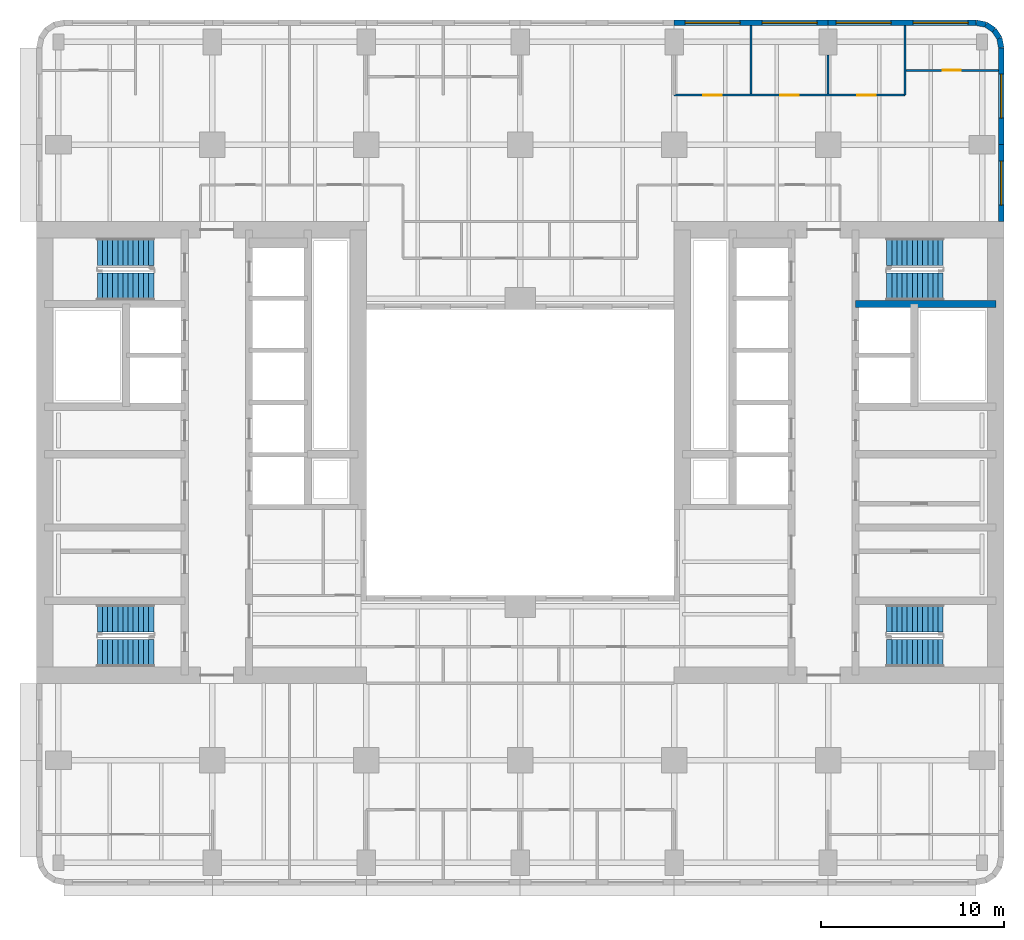
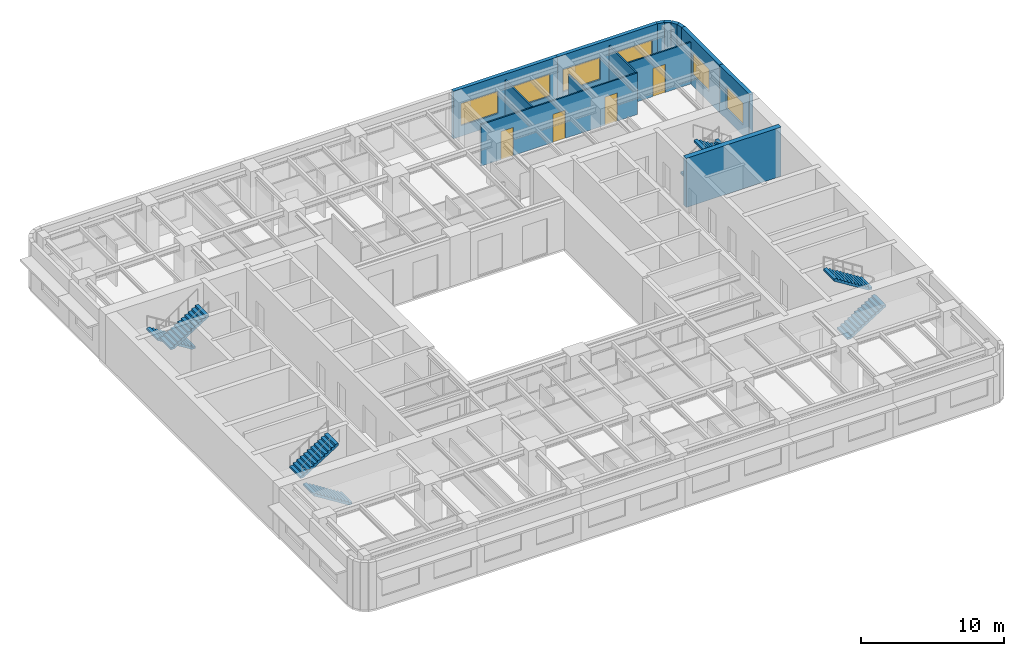
# One storey, part 8 of 11: 14 walls, 8 stair flights, 6 windows, 4 doors, 10 openings, 4 elements without a shape of their own.
"""IFC4 building model written with IfcOpenShell, lengths in metres."""

from ifc_helpers import new_model, si_unit, direction, frame, frame_2d, origin, place, context, subcontext, project, spatial, polyline, rectangle, outline, extrude, material, layer, layer_set, type_object, element, fill, aggregate, save


model = new_model("IFC4")

# Units and contexts
model_context = context("Model", 3, precision=1e-05, world=origin(), true_north=direction((0.0, 1.0)))
body_context = subcontext(model_context, "Body", "Model", "MODEL_VIEW")
ifc_project = project(units=[si_unit("LENGTHUNIT", "METRE"), si_unit("AREAUNIT", "SQUARE_METRE"), si_unit("VOLUMEUNIT", "CUBIC_METRE"), si_unit("PLANEANGLEUNIT", "RADIAN"), si_unit("MASSUNIT", "GRAM", prefix="KILO")], contexts=[model_context])

# Site, building, storey
site_placement = place(None, origin())
site = spatial("IfcSite", under=ifc_project, at=site_placement, CompositionType="ELEMENT")
building_placement = place(site_placement, origin())
building = spatial("IfcBuilding", under=site, at=building_placement, Name="Claustro Exchange Tower", CompositionType="ELEMENT")
storey_placement = place(building_placement, frame((0.0, 0.0, 159.60009765625)))
storey = spatial("IfcBuildingStorey", under=building, at=storey_placement, Name="L36", CompositionType="ELEMENT", Elevation=159.60009765625)

# Wall, opening, door
ifc_material_1 = material(Name="Laminated glass in aluminium frame", Category="aluminium")
ifc_layer_1 = layer(ifc_material_1, 0.1201171875)
ifc_layer_set_1 = layer_set([ifc_layer_1], Name="Laminated glass in aluminium frame")
wall_type_1 = type_object("IfcWallType", Name="P2 120 glazed partition", PredefinedType="PARTITIONING", material=ifc_layer_set_1)
wall_1_placement = place(storey_placement, frame((46.258056640625, 46.050048828125, 0.0), z_axis=(0.0, 0.0, 1.0), x_axis=(1.0, 0.0, 0.0)))
wall_1 = element("IfcWall", 1, at=wall_1_placement, inside=storey, type_object=wall_type_1, Name="Partition P2 L36", PredefinedType="PARTITIONING", context=body_context, shape_type="SweptSolid", body=[
    extrude(rectangle(XDim=5.0439453125, YDim=0.1201171875, at=frame_2d((2.52197265625, 0.0))), origin(), (0.0, 0.0, 1.0), 3.559814453125),
])
opening_1_placement = place(wall_1_placement, frame((1.991943359375, 0.0, 0.0)))
opening_1 = element("IfcOpeningElement", 2, at=opening_1_placement, cuts=wall_1, Name="Opening D7", PredefinedType="OPENING", context=body_context, shape_type="SweptSolid", body=[
    extrude(rectangle(XDim=1.0, YDim=2.39990234375, at=frame_2d((0.5, 1.199951171875))), frame((0.0, 0.070068359375, 0.0), z_axis=(0.0, -1.0, 0.0), x_axis=(1.0, 0.0, 0.0)), (0.0, 0.0, 1.0), 0.14013671875),
])
ifc_material_2 = material(Name="Glass door in aluminium frame", Category="aluminium")
door_type = type_object("IfcDoorType", Name="D7 1000 x 2400 glazed door", OperationType="SINGLE_SWING_LEFT", PredefinedType="DOOR", material=ifc_material_2)
door_1_placement = place(opening_1_placement, origin())
door_1 = element("IfcDoor", 3, at=door_1_placement, inside=storey, type_object=door_type, Name="Door D7 L36", OperationType="SINGLE_SWING_LEFT", OverallHeight=2.39990234375, OverallWidth=1.0, PredefinedType="DOOR", context=body_context, shape_type="SweptSolid", body=[
    extrude(rectangle(XDim=1.0, YDim=2.39990234375, at=frame_2d((0.5, 1.199951171875))), frame((0.0, 0.02490234375, 0.0), z_axis=(0.0, -1.0, 0.0), x_axis=(1.0, 0.0, 0.0)), (0.0, 0.0, 1.0), 0.050048828125),
])
fill(opening_1, door_1)

# Wall, openings, doors
wall_2_placement = place(storey_placement, frame((33.60009765625, 44.699951171875, 0.0), z_axis=(0.0, 0.0, 1.0), x_axis=(1.0, 0.0, 0.0)))
wall_2 = element("IfcWall", 4, at=wall_2_placement, inside=storey, type_object=wall_type_1, Name="Partition P2 L36", PredefinedType="PARTITIONING", context=body_context, shape_type="SweptSolid", body=[
    extrude(rectangle(XDim=12.599853515625, YDim=0.1201171875, at=frame_2d((6.2998046875, 0.0))), origin(), (0.0, 0.0, 1.0), 3.5498046875),
])
opening_2_placement = place(wall_2_placement, frame((1.60009765625, 0.0, 0.0)))
opening_2 = element("IfcOpeningElement", 5, at=opening_2_placement, cuts=wall_2, Name="Opening D7", PredefinedType="OPENING", context=body_context, shape_type="SweptSolid", body=[
    extrude(rectangle(XDim=1.0, YDim=2.39990234375, at=frame_2d((0.5, 1.199951171875))), frame((0.0, 0.070068359375, 0.0), z_axis=(0.0, -1.0, 0.0), x_axis=(1.0, 0.0, 0.0)), (0.0, 0.0, 1.0), 0.14013671875),
])
opening_3_placement = place(wall_2_placement, frame((5.800048828125, 0.0, 0.0)))
opening_3 = element("IfcOpeningElement", 6, at=opening_3_placement, cuts=wall_2, Name="Opening D7", PredefinedType="OPENING", context=body_context, shape_type="SweptSolid", body=[
    extrude(rectangle(XDim=1.0, YDim=2.39990234375, at=frame_2d((0.5, 1.199951171875))), frame((0.0, 0.070068359375, 0.0), z_axis=(0.0, -1.0, 0.0), x_axis=(1.0, 0.0, 0.0)), (0.0, 0.0, 1.0), 0.14013671875),
])
opening_4_placement = place(wall_2_placement, frame((10.0, 0.0, 0.0)))
opening_4 = element("IfcOpeningElement", 7, at=opening_4_placement, cuts=wall_2, Name="Opening D7", PredefinedType="OPENING", context=body_context, shape_type="SweptSolid", body=[
    extrude(rectangle(XDim=1.0, YDim=2.39990234375, at=frame_2d((0.5, 1.199951171875))), frame((0.0, 0.070068359375, 0.0), z_axis=(0.0, -1.0, 0.0), x_axis=(1.0, 0.0, 0.0)), (0.0, 0.0, 1.0), 0.14013671875),
])
door_2_placement = place(opening_2_placement, origin())
door_2 = element("IfcDoor", 8, at=door_2_placement, inside=storey, type_object=door_type, Name="Door D7 L36", OperationType="SINGLE_SWING_RIGHT", OverallHeight=2.39990234375, OverallWidth=1.0, PredefinedType="DOOR", context=body_context, shape_type="SweptSolid", body=[
    extrude(rectangle(XDim=1.0, YDim=2.39990234375, at=frame_2d((0.5, 1.199951171875))), frame((0.0, 0.02490234375, 0.0), z_axis=(0.0, -1.0, 0.0), x_axis=(1.0, 0.0, 0.0)), (0.0, 0.0, 1.0), 0.050048828125),
])
fill(opening_2, door_2)
door_3_placement = place(opening_3_placement, origin())
door_3 = element("IfcDoor", 9, at=door_3_placement, inside=storey, type_object=door_type, Name="Door D7 L36", OperationType="SINGLE_SWING_RIGHT", OverallHeight=2.39990234375, OverallWidth=1.0, PredefinedType="DOOR", context=body_context, shape_type="SweptSolid", body=[
    extrude(rectangle(XDim=1.0, YDim=2.39990234375, at=frame_2d((0.5, 1.199951171875))), frame((0.0, 0.02490234375, 0.0), z_axis=(0.0, -1.0, 0.0), x_axis=(1.0, 0.0, 0.0)), (0.0, 0.0, 1.0), 0.050048828125),
])
fill(opening_3, door_3)
door_4_placement = place(opening_4_placement, origin())
door_4 = element("IfcDoor", 10, at=door_4_placement, inside=storey, type_object=door_type, Name="Door D7 L36", OperationType="SINGLE_SWING_LEFT", OverallHeight=2.39990234375, OverallWidth=1.0, PredefinedType="DOOR", context=body_context, shape_type="SweptSolid", body=[
    extrude(rectangle(XDim=1.0, YDim=2.39990234375, at=frame_2d((0.5, 1.199951171875))), frame((0.0, 0.02490234375, 0.0), z_axis=(0.0, -1.0, 0.0), x_axis=(1.0, 0.0, 0.0)), (0.0, 0.0, 1.0), 0.050048828125),
])
fill(opening_4, door_4)

# Walls
wall_3_placement = place(storey_placement, frame((37.800048828125, 44.758056640625, 0.0), z_axis=(0.0, 0.0, 1.0), x_axis=(0.0, 1.0, 0.0)))
element("IfcWall", 11, at=wall_3_placement, inside=storey, type_object=wall_type_1, Name="Partition P2 L36", PredefinedType="PARTITIONING", context=body_context, shape_type="SweptSolid", body=[
    extrude(rectangle(XDim=3.743896484375, YDim=0.1201171875, at=frame_2d((1.8720703125, 0.0))), origin(), (0.0, 0.0, 1.0), 3.559814453125),
])
wall_4_placement = place(storey_placement, frame((42.0, 44.758056640625, 0.0), z_axis=(0.0, 0.0, 1.0), x_axis=(0.0, 1.0, 0.0)))
element("IfcWall", 12, at=wall_4_placement, inside=storey, type_object=wall_type_1, Name="Partition P2 L36", PredefinedType="PARTITIONING", context=body_context, shape_type="SweptSolid", body=[
    extrude(rectangle(XDim=2.142822265625, YDim=0.1201171875, at=frame_2d((1.0712890625, 0.0))), origin(), (0.0, 0.0, 1.0), 3.5498046875),
])
wall_5_placement = place(storey_placement, frame((46.199951171875, 44.699951171875, 0.0), z_axis=(0.0, 0.0, 1.0), x_axis=(0.0, 1.0, 0.0)))
element("IfcWall", 13, at=wall_5_placement, inside=storey, type_object=wall_type_1, Name="Partition P2 L36", PredefinedType="PARTITIONING", context=body_context, shape_type="SweptSolid", body=[
    extrude(rectangle(XDim=3.802001953125, YDim=0.1201171875, at=frame_2d((1.90087890625, 0.0))), origin(), (0.0, 0.0, 1.0), 3.559814453125),
])

# Wall, openings, windows
ifc_material_3 = material(Name="Concrete HA-40 (C40/50), precast, white cement, acid-etched", Category="concrete")
ifc_layer_2 = layer(ifc_material_3, 0.300048828125)
ifc_layer_set_2 = layer_set([ifc_layer_2], Name="Concrete HA-40 (C40/50), precast, white cement, acid-etched")
wall_type_2 = type_object("IfcWallType", Name="PC1 300 precast concrete pier panel", PredefinedType="SOLIDWALL", material=ifc_layer_set_2)
wall_6_placement = place(storey_placement, frame((33.60009765625, 48.64990234375, 0.0), z_axis=(0.0, 0.0, 1.0), x_axis=(1.0, 0.0, 0.0)))
wall_6 = element("IfcWall", 14, at=wall_6_placement, inside=storey, type_object=wall_type_2, Name="Precast pier panel PC1 L36", PredefinedType="SOLIDWALL", context=body_context, shape_type="SweptSolid", body=[
    extrude(rectangle(XDim=8.39990234375, YDim=0.300048828125, at=frame_2d((4.199951171875, 0.0))), origin(), (0.0, 0.0, 1.0), 4.0498046875),
])
opening_5_placement = place(wall_6_placement, frame((0.60009765625, 0.0, 0.89990234375)))
opening_5 = element("IfcOpeningElement", 15, at=opening_5_placement, cuts=wall_6, Name="Opening W1", PredefinedType="OPENING", context=body_context, shape_type="SweptSolid", body=[
    extrude(rectangle(XDim=3.0, YDim=1.89990234375, at=frame_2d((1.5, 0.949951171875))), frame((0.0, 0.159912109375, 0.0), z_axis=(0.0, -1.0, 0.0), x_axis=(1.0, 0.0, 0.0)), (0.0, 0.0, 1.0), 0.320068359375),
])
opening_6_placement = place(wall_6_placement, frame((4.800048828125, 0.0, 0.89990234375)))
opening_6 = element("IfcOpeningElement", 16, at=opening_6_placement, cuts=wall_6, Name="Opening W1", PredefinedType="OPENING", context=body_context, shape_type="SweptSolid", body=[
    extrude(rectangle(XDim=3.0, YDim=1.89990234375, at=frame_2d((1.5, 0.949951171875))), frame((0.0, 0.159912109375, 0.0), z_axis=(0.0, -1.0, 0.0), x_axis=(1.0, 0.0, 0.0)), (0.0, 0.0, 1.0), 0.320068359375),
])
ifc_material_4 = material(Name="Aluminium frame, clear double glazing", Category="aluminium")
window_type_1 = type_object("IfcWindowType", Name="W1 3000 x 1900 window", PartitioningType="SINGLE_PANEL", PredefinedType="WINDOW", material=ifc_material_4)
window_1_placement = place(opening_5_placement, origin())
window_1 = element("IfcWindow", 17, at=window_1_placement, inside=storey, type_object=window_type_1, Name="Window W1 L36", OverallHeight=1.89990234375, OverallWidth=3.0, PartitioningType="SINGLE_PANEL", PredefinedType="WINDOW", context=body_context, shape_type="SweptSolid", body=[
    extrude(rectangle(XDim=3.0, YDim=1.89990234375, at=frame_2d((1.5, 0.949951171875))), frame((0.0, 0.030029296875, 0.0), z_axis=(0.0, -1.0, 0.0), x_axis=(1.0, 0.0, 0.0)), (0.0, 0.0, 1.0), 0.06005859375),
])
fill(opening_5, window_1)
window_2_placement = place(opening_6_placement, origin())
window_2 = element("IfcWindow", 18, at=window_2_placement, inside=storey, type_object=window_type_1, Name="Window W1 L36", OverallHeight=1.89990234375, OverallWidth=3.0, PartitioningType="SINGLE_PANEL", PredefinedType="WINDOW", context=body_context, shape_type="SweptSolid", body=[
    extrude(rectangle(XDim=3.0, YDim=1.89990234375, at=frame_2d((1.5, 0.949951171875))), frame((0.0, 0.030029296875, 0.0), z_axis=(0.0, -1.0, 0.0), x_axis=(1.0, 0.0, 0.0)), (0.0, 0.0, 1.0), 0.06005859375),
])
fill(opening_6, window_2)

wall_7_placement = place(storey_placement, frame((42.0, 48.64990234375, 0.0), z_axis=(0.0, 0.0, 1.0), x_axis=(1.0, 0.0, 0.0)))
wall_7 = element("IfcWall", 19, at=wall_7_placement, inside=storey, type_object=wall_type_2, Name="Precast pier panel PC1 L36", PredefinedType="SOLIDWALL", context=body_context, shape_type="SweptSolid", body=[
    extrude(rectangle(XDim=8.085205078125, YDim=0.300048828125, at=frame_2d((4.04248046875, 0.0))), origin(), (0.0, 0.0, 1.0), 4.0498046875),
])
opening_7_placement = place(wall_7_placement, frame((0.442626953125, 0.0, 0.89990234375)))
opening_7 = element("IfcOpeningElement", 20, at=opening_7_placement, cuts=wall_7, Name="Opening W1", PredefinedType="OPENING", context=body_context, shape_type="SweptSolid", body=[
    extrude(rectangle(XDim=3.0, YDim=1.89990234375, at=frame_2d((1.5, 0.949951171875))), frame((0.0, 0.159912109375, 0.0), z_axis=(0.0, -1.0, 0.0), x_axis=(1.0, 0.0, 0.0)), (0.0, 0.0, 1.0), 0.320068359375),
])
opening_8_placement = place(wall_7_placement, frame((4.642578125, 0.0, 0.89990234375)))
opening_8 = element("IfcOpeningElement", 21, at=opening_8_placement, cuts=wall_7, Name="Opening W1", PredefinedType="OPENING", context=body_context, shape_type="SweptSolid", body=[
    extrude(rectangle(XDim=3.0, YDim=1.89990234375, at=frame_2d((1.5, 0.949951171875))), frame((0.0, 0.159912109375, 0.0), z_axis=(0.0, -1.0, 0.0), x_axis=(1.0, 0.0, 0.0)), (0.0, 0.0, 1.0), 0.320068359375),
])
window_3_placement = place(opening_7_placement, origin())
window_3 = element("IfcWindow", 22, at=window_3_placement, inside=storey, type_object=window_type_1, Name="Window W1 L36", OverallHeight=1.89990234375, OverallWidth=3.0, PartitioningType="SINGLE_PANEL", PredefinedType="WINDOW", context=body_context, shape_type="SweptSolid", body=[
    extrude(rectangle(XDim=3.0, YDim=1.89990234375, at=frame_2d((1.5, 0.949951171875))), frame((0.0, 0.030029296875, 0.0), z_axis=(0.0, -1.0, 0.0), x_axis=(1.0, 0.0, 0.0)), (0.0, 0.0, 1.0), 0.06005859375),
])
fill(opening_7, window_3)
window_4_placement = place(opening_8_placement, origin())
window_4 = element("IfcWindow", 23, at=window_4_placement, inside=storey, type_object=window_type_1, Name="Window W1 L36", OverallHeight=1.89990234375, OverallWidth=3.0, PartitioningType="SINGLE_PANEL", PredefinedType="WINDOW", context=body_context, shape_type="SweptSolid", body=[
    extrude(rectangle(XDim=3.0, YDim=1.89990234375, at=frame_2d((1.5, 0.949951171875))), frame((0.0, 0.030029296875, 0.0), z_axis=(0.0, -1.0, 0.0), x_axis=(1.0, 0.0, 0.0)), (0.0, 0.0, 1.0), 0.06005859375),
])
fill(opening_8, window_4)

# Walls
wall_8_placement = place(storey_placement, frame((50.085205078125, 48.64990234375, 0.0), z_axis=(0.0, 0.0, 1.0), x_axis=(0.980788534345, -0.195073962632, 0.0)))
element("IfcWall", 24, at=wall_8_placement, inside=storey, type_object=wall_type_2, Name="Precast pier panel PC1 L36", PredefinedType="SOLIDWALL", context=body_context, shape_type="SweptSolid", body=[
    extrude(rectangle(XDim=0.540771484375, YDim=0.300048828125, at=frame_2d((0.2705078125, 0.0))), origin(), (0.0, 0.0, 1.0), 4.0498046875),
])
wall_9_placement = place(storey_placement, frame((50.615478515625, 48.54443359375, 0.0), z_axis=(0.0, 0.0, 1.0), x_axis=(0.831692711774, -0.555236195849, 0.0)))
element("IfcWall", 25, at=wall_9_placement, inside=storey, type_object=wall_type_2, Name="Precast pier panel PC1 L36", PredefinedType="SOLIDWALL", context=body_context, shape_type="SweptSolid", body=[
    extrude(rectangle(XDim=0.525390625, YDim=0.300048828125, at=frame_2d((0.2626953125, 0.0))), origin(), (0.0, 0.0, 1.0), 4.0498046875),
])
wall_10_placement = place(storey_placement, frame((51.052490234375, 48.252685546875, 0.0), z_axis=(0.0, 0.0, 1.0), x_axis=(0.55534295404, -0.831621430339, 0.0)))
element("IfcWall", 26, at=wall_10_placement, inside=storey, type_object=wall_type_2, Name="Precast pier panel PC1 L36", PredefinedType="SOLIDWALL", context=body_context, shape_type="SweptSolid", body=[
    extrude(rectangle(XDim=0.52587890625, YDim=0.300048828125, at=frame_2d((0.262939453125, 0.0))), origin(), (0.0, 0.0, 1.0), 4.0498046875),
])
wall_11_placement = place(storey_placement, frame((51.344482421875, 47.8154296875, 0.0), z_axis=(0.0, 0.0, 1.0), x_axis=(0.195073962632, -0.980788534345, 0.0)))
element("IfcWall", 27, at=wall_11_placement, inside=storey, type_object=wall_type_2, Name="Precast pier panel PC1 L36", PredefinedType="SOLIDWALL", context=body_context, shape_type="SweptSolid", body=[
    extrude(rectangle(XDim=0.540771484375, YDim=0.300048828125, at=frame_2d((0.2705078125, 0.0))), origin(), (0.0, 0.0, 1.0), 4.0498046875),
])

# Wall, opening, window
wall_12_placement = place(storey_placement, frame((51.449951171875, 47.28515625, 0.0), z_axis=(0.0, 0.0, 1.0), x_axis=(0.0, -1.0, 0.0)))
wall_12 = element("IfcWall", 28, at=wall_12_placement, inside=storey, type_object=wall_type_2, Name="Precast pier panel PC1 L36", PredefinedType="SOLIDWALL", context=body_context, shape_type="SweptSolid", body=[
    extrude(rectangle(XDim=5.28515625, YDim=0.300048828125, at=frame_2d((2.642578125, 0.0))), origin(), (0.0, 0.0, 1.0), 4.0498046875),
])
opening_9_placement = place(wall_12_placement, frame((1.442626953125, 0.0, 0.89990234375)))
opening_9 = element("IfcOpeningElement", 29, at=opening_9_placement, cuts=wall_12, Name="Opening W2", PredefinedType="OPENING", context=body_context, shape_type="SweptSolid", body=[
    extrude(rectangle(XDim=2.39990234375, YDim=1.89990234375, at=frame_2d((1.199951171875, 0.949951171875))), frame((0.0, 0.159912109375, 0.0), z_axis=(0.0, -1.0, 0.0), x_axis=(1.0, 0.0, 0.0)), (0.0, 0.0, 1.0), 0.320068359375),
])
ifc_material_5 = material(Name="Aluminium frame, clear double glazing", Category="aluminium")
window_type_2 = type_object("IfcWindowType", Name="W2 2400 x 1900 window", PartitioningType="SINGLE_PANEL", PredefinedType="WINDOW", material=ifc_material_5)
window_5_placement = place(opening_9_placement, origin())
window_5 = element("IfcWindow", 30, at=window_5_placement, inside=storey, type_object=window_type_2, Name="Window W2 L36", OverallHeight=1.89990234375, OverallWidth=2.39990234375, PartitioningType="SINGLE_PANEL", PredefinedType="WINDOW", context=body_context, shape_type="SweptSolid", body=[
    extrude(rectangle(XDim=2.39990234375, YDim=1.89990234375, at=frame_2d((1.199951171875, 0.949951171875))), frame((0.0, 0.030029296875, 0.0), z_axis=(0.0, -1.0, 0.0), x_axis=(1.0, 0.0, 0.0)), (0.0, 0.0, 1.0), 0.06005859375),
])
fill(opening_9, window_5)

wall_13_placement = place(storey_placement, frame((51.449951171875, 42.0, 0.0), z_axis=(0.0, 0.0, 1.0), x_axis=(0.0, -1.0, 0.0)))
wall_13 = element("IfcWall", 31, at=wall_13_placement, inside=storey, type_object=wall_type_2, Name="Precast pier panel PC1 L36", PredefinedType="SOLIDWALL", context=body_context, shape_type="SweptSolid", body=[
    extrude(rectangle(XDim=4.199951171875, YDim=0.300048828125, at=frame_2d((2.10009765625, 0.0))), origin(), (0.0, 0.0, 1.0), 4.0498046875),
])
opening_10_placement = place(wall_13_placement, frame((0.89990234375, 0.0, 0.89990234375)))
opening_10 = element("IfcOpeningElement", 32, at=opening_10_placement, cuts=wall_13, Name="Opening W2", PredefinedType="OPENING", context=body_context, shape_type="SweptSolid", body=[
    extrude(rectangle(XDim=2.39990234375, YDim=1.89990234375, at=frame_2d((1.199951171875, 0.949951171875))), frame((0.0, 0.159912109375, 0.0), z_axis=(0.0, -1.0, 0.0), x_axis=(1.0, 0.0, 0.0)), (0.0, 0.0, 1.0), 0.320068359375),
])
window_6_placement = place(opening_10_placement, origin())
window_6 = element("IfcWindow", 33, at=window_6_placement, inside=storey, type_object=window_type_2, Name="Window W2 L36", OverallHeight=1.89990234375, OverallWidth=2.39990234375, PartitioningType="SINGLE_PANEL", PredefinedType="WINDOW", context=body_context, shape_type="SweptSolid", body=[
    extrude(rectangle(XDim=2.39990234375, YDim=1.89990234375, at=frame_2d((1.199951171875, 0.949951171875))), frame((0.0, 0.030029296875, 0.0), z_axis=(0.0, -1.0, 0.0), x_axis=(1.0, 0.0, 0.0)), (0.0, 0.0, 1.0), 0.06005859375),
])
fill(opening_10, window_6)

# Wall
ifc_material_6 = material(Name="Concrete HA-50 (C50/60)", Category="concrete")
ifc_layer_3 = layer(ifc_material_6, 0.39990234375)
ifc_layer_set_3 = layer_set([ifc_layer_3], Name="Concrete HA-50 (C50/60)")
wall_type_3 = type_object("IfcWallType", Name="SW4 400 internal core wall", PredefinedType="SHEAR", material=ifc_layer_set_3)
wall_14_placement = place(storey_placement, frame((51.14990234375, 33.300048828125, 0.0), z_axis=(0.0, 0.0, 1.0), x_axis=(-1.0, 0.0, 0.0)))
element("IfcWall", 34, at=wall_14_placement, inside=storey, type_object=wall_type_3, Name="Internal core wall SW4 E core L36", PredefinedType="SHEAR", context=body_context, shape_type="SweptSolid", body=[
    extrude(rectangle(XDim=7.64990234375, YDim=0.39990234375, at=frame_2d((3.824951171875, 0.0))), origin(), (0.0, 0.0, 1.0), 4.199951171875),
])

# Stair, stair flights
ifc_material_7 = material(Name="Concrete HA-30 (C30/37), precast", Category="concrete")
stair_type = type_object("IfcStairType", Name="ST1 half-turn stair, 24 risers of 175", PredefinedType="HALF_TURN_STAIR", material=ifc_material_7)
stair_1_placement = place(storey_placement, origin())
stair_1 = element("IfcStair", 35, at=stair_1_placement, inside=storey, type_object=stair_type, Name="Stair STWA L36", PredefinedType="HALF_TURN_STAIR")
ifc_material_8 = material(Name="Concrete HA-30 (C30/37), precast", Category="concrete")
stair_flight_type = type_object("IfcStairFlightType", Name="SF12A straight flight, 12 risers of 175, 1500 wide", PredefinedType="STRAIGHT", material=ifc_material_8)
stair_flight_1_placement = place(storey_placement, frame((5.199951171875, 14.25, 0.0), z_axis=(0.0, 0.0, 1.0), x_axis=(-1.0, 0.0, 0.0)))
stair_flight_1 = element("IfcStairFlight", 36, at=stair_flight_1_placement, type_object=stair_flight_type, Name="STWA flight 1", NumberOfRisers=12, NumberOfTreads=11, PredefinedType="STRAIGHT", RiserHeight=0.175, TreadLength=0.28, context=body_context, shape_type="SweptSolid", body=[
    extrude(outline(polyline([(0.0, 0.0), (0.0, 0.175048828125), (0.280029296875, 0.175048828125), (0.280029296875, 0.35009765625), (0.56005859375, 0.35009765625), (0.56005859375, 0.52490234375), (0.840087890625, 0.52490234375), (0.840087890625, 0.699951171875), (1.1201171875, 0.699951171875), (1.1201171875, 0.875), (1.39990234375, 0.875), (1.39990234375, 1.050048828125), (1.679931640625, 1.050048828125), (1.679931640625, 1.22509765625), (1.9599609375, 1.22509765625), (1.9599609375, 1.39990234375), (2.239990234375, 1.39990234375), (2.239990234375, 1.574951171875), (2.52001953125, 1.574951171875), (2.52001953125, 1.75), (2.800048828125, 1.75), (2.800048828125, 1.925048828125), (3.080078125, 1.925048828125), (3.080078125, 2.10009765625), (3.080078125, 1.748291015625), (0.28271484375, 0.0), (0.0, 0.0)])), frame((0.0, 0.75, 0.0), z_axis=(0.0, -1.0, 0.0), x_axis=(1.0, 0.0, 0.0)), (0.0, 0.0, 1.0), 1.5),
])
stair_flight_2_placement = place(storey_placement, frame((2.1201171875, 16.14990234375, 2.099853515625), z_axis=(0.0, 0.0, 1.0), x_axis=(1.0, 0.0, 0.0)))
stair_flight_2 = element("IfcStairFlight", 37, at=stair_flight_2_placement, type_object=stair_flight_type, Name="STWA flight 2", NumberOfRisers=12, NumberOfTreads=11, PredefinedType="STRAIGHT", RiserHeight=0.175, TreadLength=0.28, context=body_context, shape_type="SweptSolid", body=[
    extrude(outline(polyline([(0.0, 0.0), (0.0, 0.175048828125), (0.280029296875, 0.175048828125), (0.280029296875, 0.35009765625), (0.56005859375, 0.35009765625), (0.56005859375, 0.52490234375), (0.840087890625, 0.52490234375), (0.840087890625, 0.699951171875), (1.1201171875, 0.699951171875), (1.1201171875, 0.875), (1.39990234375, 0.875), (1.39990234375, 1.050048828125), (1.679931640625, 1.050048828125), (1.679931640625, 1.22509765625), (1.9599609375, 1.22509765625), (1.9599609375, 1.39990234375), (2.239990234375, 1.39990234375), (2.239990234375, 1.574951171875), (2.52001953125, 1.574951171875), (2.52001953125, 1.75), (2.800048828125, 1.75), (2.800048828125, 1.925048828125), (3.080078125, 1.925048828125), (3.080078125, 2.10009765625), (3.080078125, 1.748291015625), (0.28271484375, 0.0), (0.0, 0.0)])), frame((0.0, 0.75, 0.0), z_axis=(0.0, -1.0, 0.0), x_axis=(1.0, 0.0, 0.0)), (0.0, 0.0, 1.0), 1.5),
])
aggregate(stair_1, [stair_flight_1, stair_flight_2])

stair_2_placement = place(storey_placement, origin())
stair_2 = element("IfcStair", 38, at=stair_2_placement, inside=storey, type_object=stair_type, Name="Stair STWB L36", PredefinedType="HALF_TURN_STAIR")
stair_flight_3_placement = place(storey_placement, frame((5.199951171875, 36.14990234375, 0.0), z_axis=(0.0, 0.0, 1.0), x_axis=(-1.0, 0.0, 0.0)))
stair_flight_3 = element("IfcStairFlight", 39, at=stair_flight_3_placement, type_object=stair_flight_type, Name="STWB flight 1", NumberOfRisers=12, NumberOfTreads=11, PredefinedType="STRAIGHT", RiserHeight=0.175, TreadLength=0.28, context=body_context, shape_type="SweptSolid", body=[
    extrude(outline(polyline([(0.0, 0.0), (0.0, 0.175048828125), (0.280029296875, 0.175048828125), (0.280029296875, 0.35009765625), (0.56005859375, 0.35009765625), (0.56005859375, 0.52490234375), (0.840087890625, 0.52490234375), (0.840087890625, 0.699951171875), (1.1201171875, 0.699951171875), (1.1201171875, 0.875), (1.39990234375, 0.875), (1.39990234375, 1.050048828125), (1.679931640625, 1.050048828125), (1.679931640625, 1.22509765625), (1.9599609375, 1.22509765625), (1.9599609375, 1.39990234375), (2.239990234375, 1.39990234375), (2.239990234375, 1.574951171875), (2.52001953125, 1.574951171875), (2.52001953125, 1.75), (2.800048828125, 1.75), (2.800048828125, 1.925048828125), (3.080078125, 1.925048828125), (3.080078125, 2.10009765625), (3.080078125, 1.748291015625), (0.28271484375, 0.0), (0.0, 0.0)])), frame((0.0, 0.75, 0.0), z_axis=(0.0, -1.0, 0.0), x_axis=(1.0, 0.0, 0.0)), (0.0, 0.0, 1.0), 1.5),
])
stair_flight_4_placement = place(storey_placement, frame((2.1201171875, 34.25, 2.099853515625), z_axis=(0.0, 0.0, 1.0), x_axis=(1.0, 0.0, 0.0)))
stair_flight_4 = element("IfcStairFlight", 40, at=stair_flight_4_placement, type_object=stair_flight_type, Name="STWB flight 2", NumberOfRisers=12, NumberOfTreads=11, PredefinedType="STRAIGHT", RiserHeight=0.175, TreadLength=0.28, context=body_context, shape_type="SweptSolid", body=[
    extrude(outline(polyline([(0.0, 0.0), (0.0, 0.175048828125), (0.280029296875, 0.175048828125), (0.280029296875, 0.35009765625), (0.56005859375, 0.35009765625), (0.56005859375, 0.52490234375), (0.840087890625, 0.52490234375), (0.840087890625, 0.699951171875), (1.1201171875, 0.699951171875), (1.1201171875, 0.875), (1.39990234375, 0.875), (1.39990234375, 1.050048828125), (1.679931640625, 1.050048828125), (1.679931640625, 1.22509765625), (1.9599609375, 1.22509765625), (1.9599609375, 1.39990234375), (2.239990234375, 1.39990234375), (2.239990234375, 1.574951171875), (2.52001953125, 1.574951171875), (2.52001953125, 1.75), (2.800048828125, 1.75), (2.800048828125, 1.925048828125), (3.080078125, 1.925048828125), (3.080078125, 2.10009765625), (3.080078125, 1.748291015625), (0.28271484375, 0.0), (0.0, 0.0)])), frame((0.0, 0.75, 0.0), z_axis=(0.0, -1.0, 0.0), x_axis=(1.0, 0.0, 0.0)), (0.0, 0.0, 1.0), 1.5),
])
aggregate(stair_2, [stair_flight_3, stair_flight_4])

stair_3_placement = place(storey_placement, origin())
stair_3 = element("IfcStair", 41, at=stair_3_placement, inside=storey, type_object=stair_type, Name="Stair STEA L36", PredefinedType="HALF_TURN_STAIR")
stair_flight_5_placement = place(storey_placement, frame((45.199951171875, 14.25, 0.0), z_axis=(0.0, 0.0, 1.0), x_axis=(1.0, 0.0, 0.0)))
stair_flight_5 = element("IfcStairFlight", 42, at=stair_flight_5_placement, type_object=stair_flight_type, Name="STEA flight 1", NumberOfRisers=12, NumberOfTreads=11, PredefinedType="STRAIGHT", RiserHeight=0.175, TreadLength=0.28, context=body_context, shape_type="SweptSolid", body=[
    extrude(outline(polyline([(0.0, 0.0), (0.0, 0.175048828125), (0.280029296875, 0.175048828125), (0.280029296875, 0.35009765625), (0.56005859375, 0.35009765625), (0.56005859375, 0.52490234375), (0.840087890625, 0.52490234375), (0.840087890625, 0.699951171875), (1.1201171875, 0.699951171875), (1.1201171875, 0.875), (1.39990234375, 0.875), (1.39990234375, 1.050048828125), (1.679931640625, 1.050048828125), (1.679931640625, 1.22509765625), (1.9599609375, 1.22509765625), (1.9599609375, 1.39990234375), (2.239990234375, 1.39990234375), (2.239990234375, 1.574951171875), (2.52001953125, 1.574951171875), (2.52001953125, 1.75), (2.800048828125, 1.75), (2.800048828125, 1.925048828125), (3.080078125, 1.925048828125), (3.080078125, 2.10009765625), (3.080078125, 1.748291015625), (0.28271484375, 0.0), (0.0, 0.0)])), frame((0.0, 0.75, 0.0), z_axis=(0.0, -1.0, 0.0), x_axis=(1.0, 0.0, 0.0)), (0.0, 0.0, 1.0), 1.5),
])
stair_flight_6_placement = place(storey_placement, frame((48.280029296875, 16.14990234375, 2.099853515625), z_axis=(0.0, 0.0, 1.0), x_axis=(-1.0, 0.0, 0.0)))
stair_flight_6 = element("IfcStairFlight", 43, at=stair_flight_6_placement, type_object=stair_flight_type, Name="STEA flight 2", NumberOfRisers=12, NumberOfTreads=11, PredefinedType="STRAIGHT", RiserHeight=0.175, TreadLength=0.28, context=body_context, shape_type="SweptSolid", body=[
    extrude(outline(polyline([(0.0, 0.0), (0.0, 0.175048828125), (0.280029296875, 0.175048828125), (0.280029296875, 0.35009765625), (0.56005859375, 0.35009765625), (0.56005859375, 0.52490234375), (0.840087890625, 0.52490234375), (0.840087890625, 0.699951171875), (1.1201171875, 0.699951171875), (1.1201171875, 0.875), (1.39990234375, 0.875), (1.39990234375, 1.050048828125), (1.679931640625, 1.050048828125), (1.679931640625, 1.22509765625), (1.9599609375, 1.22509765625), (1.9599609375, 1.39990234375), (2.239990234375, 1.39990234375), (2.239990234375, 1.574951171875), (2.52001953125, 1.574951171875), (2.52001953125, 1.75), (2.800048828125, 1.75), (2.800048828125, 1.925048828125), (3.080078125, 1.925048828125), (3.080078125, 2.10009765625), (3.080078125, 1.748291015625), (0.28271484375, 0.0), (0.0, 0.0)])), frame((0.0, 0.75, 0.0), z_axis=(0.0, -1.0, 0.0), x_axis=(1.0, 0.0, 0.0)), (0.0, 0.0, 1.0), 1.5),
])
aggregate(stair_3, [stair_flight_5, stair_flight_6])

stair_4_placement = place(storey_placement, origin())
stair_4 = element("IfcStair", 44, at=stair_4_placement, inside=storey, type_object=stair_type, Name="Stair STEB L36", PredefinedType="HALF_TURN_STAIR")
stair_flight_7_placement = place(storey_placement, frame((45.199951171875, 36.14990234375, 0.0), z_axis=(0.0, 0.0, 1.0), x_axis=(1.0, 0.0, 0.0)))
stair_flight_7 = element("IfcStairFlight", 45, at=stair_flight_7_placement, type_object=stair_flight_type, Name="STEB flight 1", NumberOfRisers=12, NumberOfTreads=11, PredefinedType="STRAIGHT", RiserHeight=0.175, TreadLength=0.28, context=body_context, shape_type="SweptSolid", body=[
    extrude(outline(polyline([(0.0, 0.0), (0.0, 0.175048828125), (0.280029296875, 0.175048828125), (0.280029296875, 0.35009765625), (0.56005859375, 0.35009765625), (0.56005859375, 0.52490234375), (0.840087890625, 0.52490234375), (0.840087890625, 0.699951171875), (1.1201171875, 0.699951171875), (1.1201171875, 0.875), (1.39990234375, 0.875), (1.39990234375, 1.050048828125), (1.679931640625, 1.050048828125), (1.679931640625, 1.22509765625), (1.9599609375, 1.22509765625), (1.9599609375, 1.39990234375), (2.239990234375, 1.39990234375), (2.239990234375, 1.574951171875), (2.52001953125, 1.574951171875), (2.52001953125, 1.75), (2.800048828125, 1.75), (2.800048828125, 1.925048828125), (3.080078125, 1.925048828125), (3.080078125, 2.10009765625), (3.080078125, 1.748291015625), (0.28271484375, 0.0), (0.0, 0.0)])), frame((0.0, 0.75, 0.0), z_axis=(0.0, -1.0, 0.0), x_axis=(1.0, 0.0, 0.0)), (0.0, 0.0, 1.0), 1.5),
])
stair_flight_8_placement = place(storey_placement, frame((48.280029296875, 34.25, 2.099853515625), z_axis=(0.0, 0.0, 1.0), x_axis=(-1.0, 0.0, 0.0)))
stair_flight_8 = element("IfcStairFlight", 46, at=stair_flight_8_placement, type_object=stair_flight_type, Name="STEB flight 2", NumberOfRisers=12, NumberOfTreads=11, PredefinedType="STRAIGHT", RiserHeight=0.175, TreadLength=0.28, context=body_context, shape_type="SweptSolid", body=[
    extrude(outline(polyline([(0.0, 0.0), (0.0, 0.175048828125), (0.280029296875, 0.175048828125), (0.280029296875, 0.35009765625), (0.56005859375, 0.35009765625), (0.56005859375, 0.52490234375), (0.840087890625, 0.52490234375), (0.840087890625, 0.699951171875), (1.1201171875, 0.699951171875), (1.1201171875, 0.875), (1.39990234375, 0.875), (1.39990234375, 1.050048828125), (1.679931640625, 1.050048828125), (1.679931640625, 1.22509765625), (1.9599609375, 1.22509765625), (1.9599609375, 1.39990234375), (2.239990234375, 1.39990234375), (2.239990234375, 1.574951171875), (2.52001953125, 1.574951171875), (2.52001953125, 1.75), (2.800048828125, 1.75), (2.800048828125, 1.925048828125), (3.080078125, 1.925048828125), (3.080078125, 2.10009765625), (3.080078125, 1.748291015625), (0.28271484375, 0.0), (0.0, 0.0)])), frame((0.0, 0.75, 0.0), z_axis=(0.0, -1.0, 0.0), x_axis=(1.0, 0.0, 0.0)), (0.0, 0.0, 1.0), 1.5),
])
aggregate(stair_4, [stair_flight_7, stair_flight_8])

save(model, "model.ifc")
